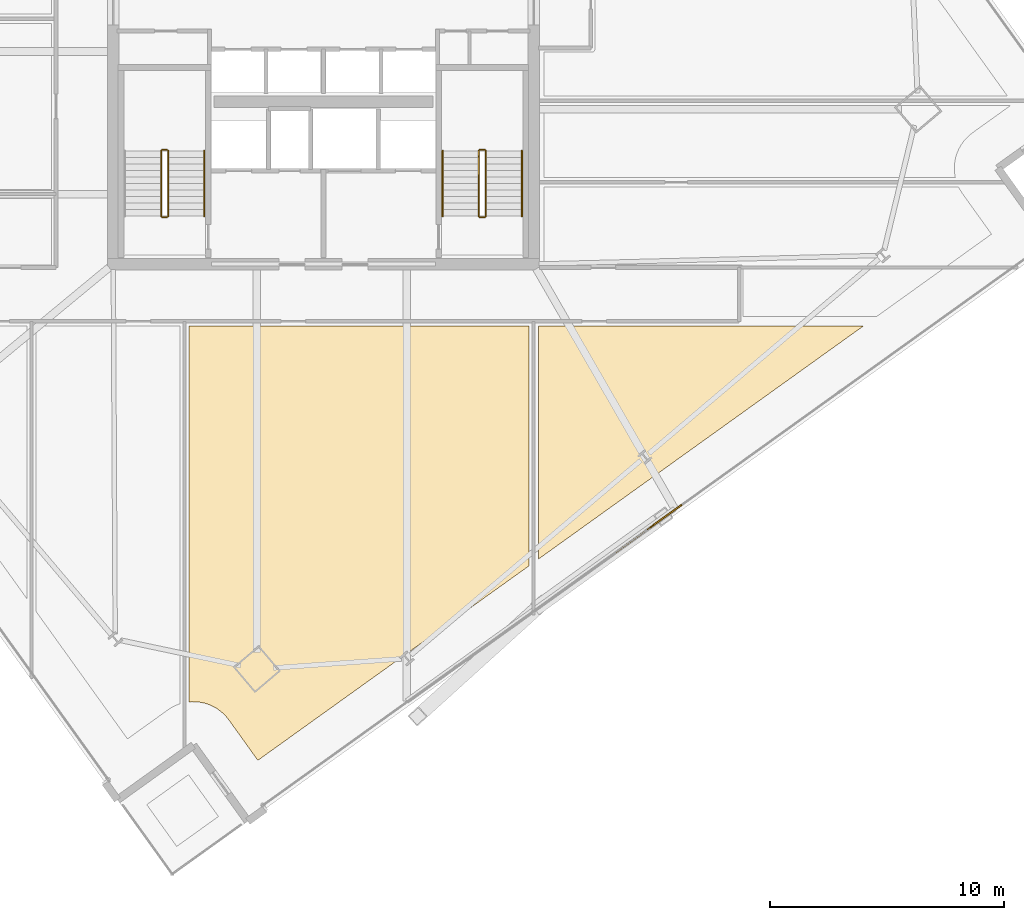
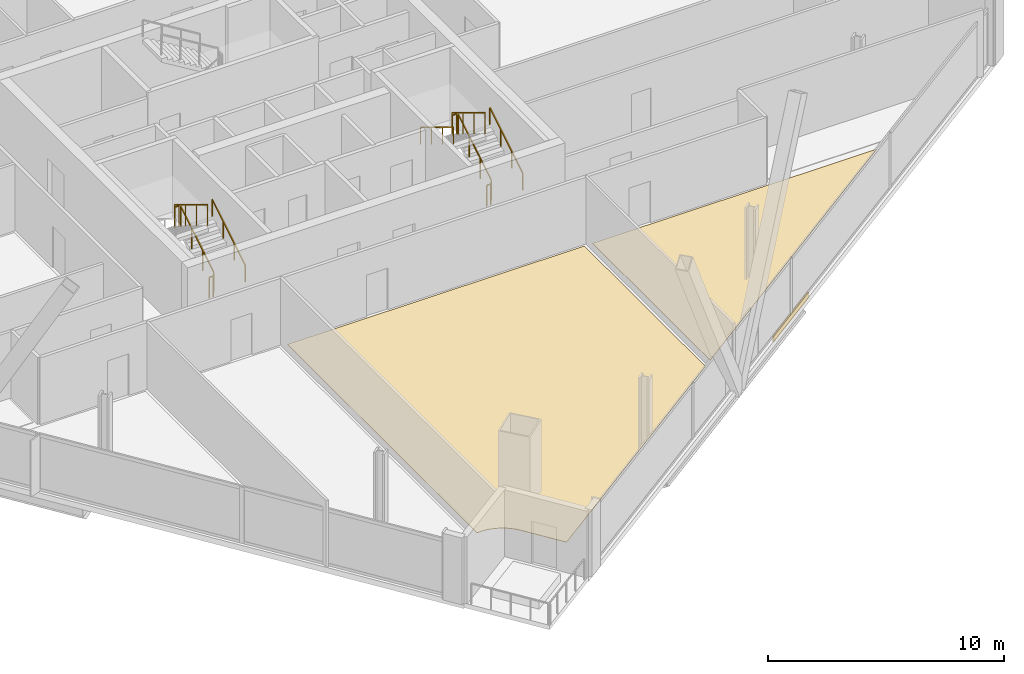
# One storey, part 30 of 33: 11 railings, 3 coverings.
"""IFC4 building model written with IfcOpenShell, lengths in metres."""

from ifc_helpers import new_model, si_unit, direction, frame, origin, origin_2d, place, context, subcontext, project, spatial, polyline, rectangle, outline, extrude, source, transform, mapped, material, layer, layer_set, type_object, element, save


model = new_model("IFC4")

# Units and contexts
model_context = context("Model", 3, precision=1e-05, world=origin(), true_north=direction((0.0, 1.0)))
body_context = subcontext(model_context, "Body", "Model", "MODEL_VIEW")
ifc_project = project(units=[si_unit("LENGTHUNIT", "METRE"), si_unit("AREAUNIT", "SQUARE_METRE"), si_unit("VOLUMEUNIT", "CUBIC_METRE"), si_unit("PLANEANGLEUNIT", "RADIAN"), si_unit("MASSUNIT", "GRAM", prefix="KILO")], contexts=[model_context])

# Site, building, storey
site_placement = place(None, origin())
site = spatial("IfcSite", under=ifc_project, at=site_placement, CompositionType="ELEMENT")
building_placement = place(site_placement, origin())
building = spatial("IfcBuilding", under=site, at=building_placement, Name="Haldenkirk Collegiate Tower", CompositionType="ELEMENT")
storey_placement = place(building_placement, frame((0.0, 0.0, 148.199951171875)))
storey = spatial("IfcBuildingStorey", under=building, at=storey_placement, Name="L36", CompositionType="ELEMENT", Elevation=148.199951171875)

# Coverings
ifc_material_1 = material(Name="Polished collegiate terrazzo", Category="concrete")
ifc_layer_1 = layer(ifc_material_1, 0.02490234375)
ifc_layer_set_1 = layer_set([ifc_layer_1], Name="Polished collegiate terrazzo")
covering_type_1 = type_object("IfcCoveringType", Name="COV-FLOOR-TERRAZZO", PredefinedType="FLOORING", material=ifc_layer_set_1)
covering_1_placement = place(storey_placement, origin())
element("IfcCovering", 1, at=covering_1_placement, inside=storey, type_object=covering_type_1, Name="L36 academic room finish 04", PredefinedType="FLOORING", context=body_context, shape_type="SweptSolid", body=[
    extrude(outline(polyline([(45.199951171875, 5.36474609375), (45.199951171875, 15.35009765625), (59.121337890625, 15.35009765625), (45.199951171875, 5.36474609375)])), origin(), (0.0, 0.0, 1.0), 0.025146484375),
])
ifc_material_2 = material(Name="Engineered collegiate oak acoustic flooring", Category="wood")
ifc_layer_2 = layer(ifc_material_2, 0.02197265625)
ifc_layer_set_2 = layer_set([ifc_layer_2], Name="Engineered collegiate oak acoustic flooring")
covering_type_2 = type_object("IfcCoveringType", Name="COV-FLOOR-TIMBER", PredefinedType="FLOORING", material=ifc_layer_set_2)
covering_2_placement = place(storey_placement, origin())
element("IfcCovering", 2, at=covering_2_placement, inside=storey, type_object=covering_type_2, Name="L36 academic room finish 03", PredefinedType="FLOORING", context=body_context, shape_type="SweptSolid", body=[
    extrude(outline(polyline([(30.25, -0.74853515625), (30.25, 15.35009765625), (44.800048828125, 15.35009765625), (44.800048828125, 5.077880859375), (33.190673828125, -3.248779296875), (31.94921875, -1.51806640625), (31.94580078125, -1.513427734375), (31.8388671875, -1.37890625), (31.8310546875, -1.3701171875), (31.711669921875, -1.24658203125), (31.702880859375, -1.238525390625), (31.572021484375, -1.12744140625), (31.562744140625, -1.120361328125), (31.42138671875, -1.022705078125), (31.41162109375, -1.0166015625), (31.26123046875, -0.93310546875), (31.250732421875, -0.927978515625), (31.093017578125, -0.859619140625), (31.08203125, -0.85546875), (30.918701171875, -0.802978515625), (30.906982421875, -0.800048828125), (30.7392578125, -0.763916015625), (30.727783203125, -0.761962890625), (30.55712890625, -0.742431640625), (30.54541015625, -0.74169921875), (30.37353515625, -0.739013671875), (30.36181640625, -0.7392578125), (30.25, -0.74853515625)])), origin(), (0.0, 0.0, 1.0), 0.02197265625),
])

# Railings
ifc_material_3 = material(Name="Painted architectural tubular steel", Category="steel")
railing_type_1 = type_object("IfcRailingType", Name="RLG-STAIR-GUARD-1100", PredefinedType="BALUSTRADE", material=ifc_material_3)
railing_1_placement = place(storey_placement, frame((29.35009765625, 20.050048828125, 0.17041015625)))
element("IfcRailing", 3, at=railing_1_placement, inside=storey, type_object=railing_type_1, Name="L36 ST-1 stair guard 1", PredefinedType="BALUSTRADE", context=body_context, shape_type="SweptSolid", body=[
    extrude(rectangle(XDim=0.048095703125, YDim=0.048095703125, at=origin_2d()), frame((0.0, 0.0, 1.076171875), z_axis=(0.0, 0.854169791009, 0.51999420009), x_axis=(-1.0, 0.0, 0.0)), (0.0, 0.0, 1.0), 3.278076171875),
    extrude(rectangle(XDim=0.0419921875, YDim=0.0419921875, at=origin_2d()), origin(), (0.0, 0.0, 1.0), 1.052001953125),
    extrude(rectangle(XDim=0.0419921875, YDim=0.0419921875, at=origin_2d()), frame((0.0, 0.933349609375, 0.568115234375)), (0.0, 0.0, 1.0), 1.052001953125),
    extrude(rectangle(XDim=0.0419921875, YDim=0.0419921875, at=origin_2d()), frame((0.0, 1.86669921875, 1.136474609375)), (0.0, 0.0, 1.0), 1.052001953125),
    extrude(rectangle(XDim=0.0419921875, YDim=0.0419921875, at=origin_2d()), frame((0.0, 2.800048828125, 1.70458984375)), (0.0, 0.0, 1.0), 1.052001953125),
])
railing_2_placement = place(storey_placement, frame((29.300048828125, 22.89990234375, 1.875)))
element("IfcRailing", 4, at=railing_2_placement, inside=storey, type_object=railing_type_1, Name="L36 ST-1 stair guard 2", PredefinedType="BALUSTRADE", context=body_context, shape_type="SweptSolid", body=[
    extrude(rectangle(XDim=0.048095703125, YDim=0.048095703125, at=origin_2d()), frame((0.0, 0.0, 1.076171875), z_axis=(-1.0, 0.0, 0.0), x_axis=(0.0, -1.0, 0.0)), (0.0, 0.0, 1.0), 0.199951171875),
    extrude(rectangle(XDim=0.0419921875, YDim=0.0419921875, at=origin_2d()), origin(), (0.0, 0.0, 1.0), 1.052001953125),
    extrude(rectangle(XDim=0.0419921875, YDim=0.0419921875, at=origin_2d()), frame((-0.199951171875, 0.0, 0.0)), (0.0, 0.0, 1.0), 1.052001953125),
])
railing_3_placement = place(storey_placement, frame((29.050048828125, 22.85009765625, 2.04541015625)))
element("IfcRailing", 5, at=railing_3_placement, inside=storey, type_object=railing_type_1, Name="L36 ST-1 stair guard 3", PredefinedType="BALUSTRADE", context=body_context, shape_type="SweptSolid", body=[
    extrude(rectangle(XDim=0.048095703125, YDim=0.048095703125, at=origin_2d()), frame((0.0, 0.0, 1.076171875), z_axis=(0.0, -0.854169791009, 0.51999420009), x_axis=(1.0, 0.0, 0.0)), (0.0, 0.0, 1.0), 3.278076171875),
    extrude(rectangle(XDim=0.0419921875, YDim=0.0419921875, at=origin_2d()), origin(), (0.0, 0.0, 1.0), 1.052001953125),
    extrude(rectangle(XDim=0.0419921875, YDim=0.0419921875, at=origin_2d()), frame((0.0, -0.933349609375, 0.568115234375)), (0.0, 0.0, 1.0), 1.052001953125),
    extrude(rectangle(XDim=0.0419921875, YDim=0.0419921875, at=origin_2d()), frame((0.0, -1.86669921875, 1.136474609375)), (0.0, 0.0, 1.0), 1.052001953125),
    extrude(rectangle(XDim=0.0419921875, YDim=0.0419921875, at=origin_2d()), frame((0.0, -2.800048828125, 1.70458984375)), (0.0, 0.0, 1.0), 1.052001953125),
])
railing_4_placement = place(storey_placement, frame((29.300048828125, 20.0, 0.0)))
element("IfcRailing", 6, at=railing_4_placement, inside=storey, type_object=railing_type_1, Name="L36 ST-1 stair guard 4", PredefinedType="BALUSTRADE", context=body_context, shape_type="SweptSolid", body=[
    extrude(rectangle(XDim=0.048095703125, YDim=0.048095703125, at=origin_2d()), frame((0.0, 0.0, 1.076171875), z_axis=(-1.0, 0.0, 0.0), x_axis=(0.0, -1.0, 0.0)), (0.0, 0.0, 1.0), 0.199951171875),
    extrude(rectangle(XDim=0.0419921875, YDim=0.0419921875, at=origin_2d()), origin(), (0.0, 0.0, 1.0), 1.052001953125),
    extrude(rectangle(XDim=0.0419921875, YDim=0.0419921875, at=origin_2d()), frame((-0.199951171875, 0.0, 0.0)), (0.0, 0.0, 1.0), 1.052001953125),
])
railing_5_placement = place(storey_placement, frame((42.949951171875, 20.050048828125, 0.17041015625)))
element("IfcRailing", 7, at=railing_5_placement, inside=storey, type_object=railing_type_1, Name="L36 ST-2 stair guard 1", PredefinedType="BALUSTRADE", context=body_context, shape_type="SweptSolid", body=[
    extrude(rectangle(XDim=0.048095703125, YDim=0.048095703125, at=origin_2d()), frame((0.0, 0.0, 1.076171875), z_axis=(0.0, 0.854169791009, 0.51999420009), x_axis=(-1.0, 0.0, 0.0)), (0.0, 0.0, 1.0), 3.278076171875),
    extrude(rectangle(XDim=0.0419921875, YDim=0.0419921875, at=origin_2d()), origin(), (0.0, 0.0, 1.0), 1.052001953125),
    extrude(rectangle(XDim=0.0419921875, YDim=0.0419921875, at=origin_2d()), frame((0.0, 0.933349609375, 0.568115234375)), (0.0, 0.0, 1.0), 1.052001953125),
    extrude(rectangle(XDim=0.0419921875, YDim=0.0419921875, at=origin_2d()), frame((0.0, 1.86669921875, 1.136474609375)), (0.0, 0.0, 1.0), 1.052001953125),
    extrude(rectangle(XDim=0.0419921875, YDim=0.0419921875, at=origin_2d()), frame((0.0, 2.800048828125, 1.70458984375)), (0.0, 0.0, 1.0), 1.052001953125),
])
railing_6_placement = place(storey_placement, frame((42.89990234375, 22.89990234375, 1.875)))
element("IfcRailing", 8, at=railing_6_placement, inside=storey, type_object=railing_type_1, Name="L36 ST-2 stair guard 2", PredefinedType="BALUSTRADE", context=body_context, shape_type="SweptSolid", body=[
    extrude(rectangle(XDim=0.048095703125, YDim=0.048095703125, at=origin_2d()), frame((0.0, 0.0, 1.076171875), z_axis=(-1.0, 0.0, 0.0), x_axis=(0.0, -1.0, 0.0)), (0.0, 0.0, 1.0), 0.199951171875),
    extrude(rectangle(XDim=0.0419921875, YDim=0.0419921875, at=origin_2d()), origin(), (0.0, 0.0, 1.0), 1.052001953125),
    extrude(rectangle(XDim=0.0419921875, YDim=0.0419921875, at=origin_2d()), frame((-0.199951171875, 0.0, 0.0)), (0.0, 0.0, 1.0), 1.052001953125),
])
railing_7_placement = place(storey_placement, frame((42.64990234375, 22.85009765625, 2.04541015625)))
element("IfcRailing", 9, at=railing_7_placement, inside=storey, type_object=railing_type_1, Name="L36 ST-2 stair guard 3", PredefinedType="BALUSTRADE", context=body_context, shape_type="SweptSolid", body=[
    extrude(rectangle(XDim=0.048095703125, YDim=0.048095703125, at=origin_2d()), frame((0.0, 0.0, 1.076171875), z_axis=(0.0, -0.854169791009, 0.51999420009), x_axis=(1.0, 0.0, 0.0)), (0.0, 0.0, 1.0), 3.278076171875),
    extrude(rectangle(XDim=0.0419921875, YDim=0.0419921875, at=origin_2d()), origin(), (0.0, 0.0, 1.0), 1.052001953125),
    extrude(rectangle(XDim=0.0419921875, YDim=0.0419921875, at=origin_2d()), frame((0.0, -0.933349609375, 0.568115234375)), (0.0, 0.0, 1.0), 1.052001953125),
    extrude(rectangle(XDim=0.0419921875, YDim=0.0419921875, at=origin_2d()), frame((0.0, -1.86669921875, 1.136474609375)), (0.0, 0.0, 1.0), 1.052001953125),
    extrude(rectangle(XDim=0.0419921875, YDim=0.0419921875, at=origin_2d()), frame((0.0, -2.800048828125, 1.70458984375)), (0.0, 0.0, 1.0), 1.052001953125),
])
railing_8_placement = place(storey_placement, frame((42.89990234375, 20.0, 0.0)))
element("IfcRailing", 10, at=railing_8_placement, inside=storey, type_object=railing_type_1, Name="L36 ST-2 stair guard 4", PredefinedType="BALUSTRADE", context=body_context, shape_type="SweptSolid", body=[
    extrude(rectangle(XDim=0.048095703125, YDim=0.048095703125, at=origin_2d()), frame((0.0, 0.0, 1.076171875), z_axis=(-1.0, 0.0, 0.0), x_axis=(0.0, -1.0, 0.0)), (0.0, 0.0, 1.0), 0.199951171875),
    extrude(rectangle(XDim=0.0419921875, YDim=0.0419921875, at=origin_2d()), origin(), (0.0, 0.0, 1.0), 1.052001953125),
    extrude(rectangle(XDim=0.0419921875, YDim=0.0419921875, at=origin_2d()), frame((-0.199951171875, 0.0, 0.0)), (0.0, 0.0, 1.0), 1.052001953125),
])
railing_type_2 = type_object("IfcRailingType", Name="RLG-STAIR-HANDRAIL-900", PredefinedType="HANDRAIL", material=ifc_material_3)
for number, where, name in (
    (11, (30.89990234375, 20.050048828125, 0.17041015625), "L36 ST-1 stair handrail 1"),
    (12, (44.5, 20.050048828125, 0.17041015625), "L36 ST-2 stair handrail 1"),
):
    element("IfcRailing", number, at=place(storey_placement, frame(where)), inside=storey, type_object=railing_type_2, Name=name, PredefinedType="HANDRAIL", context=body_context, shape_type="SweptSolid", body=[
        extrude(rectangle(XDim=0.048095703125, YDim=0.048095703125, at=origin_2d()), frame((0.0, 0.0, 0.8759765625), z_axis=(0.0, 0.854169791009, 0.51999420009), x_axis=(-1.0, 0.0, 0.0)), (0.0, 0.0, 1.0), 3.278076171875),
        extrude(rectangle(XDim=0.0419921875, YDim=0.0419921875, at=origin_2d()), origin(), (0.0, 0.0, 1.0), 0.851806640625),
        extrude(rectangle(XDim=0.0419921875, YDim=0.0419921875, at=origin_2d()), frame((0.0, 0.933349609375, 0.568115234375)), (0.0, 0.0, 1.0), 0.851806640625),
        extrude(rectangle(XDim=0.0419921875, YDim=0.0419921875, at=origin_2d()), frame((0.0, 1.86669921875, 1.136474609375)), (0.0, 0.0, 1.0), 0.851806640625),
        extrude(rectangle(XDim=0.0419921875, YDim=0.0419921875, at=origin_2d()), frame((0.0, 2.800048828125, 1.70458984375)), (0.0, 0.0, 1.0), 0.851806640625),
    ])
railing_9_placement = place(storey_placement, frame((41.10009765625, 22.85009765625, 2.04541015625)))
element("IfcRailing", 13, at=railing_9_placement, inside=storey, type_object=railing_type_2, Name="L36 ST-2 stair handrail 2", PredefinedType="HANDRAIL", context=body_context, shape_type="SweptSolid", body=[
    extrude(rectangle(XDim=0.048095703125, YDim=0.048095703125, at=origin_2d()), frame((0.0, 0.0, 0.8759765625), z_axis=(0.0, -0.854169791009, 0.51999420009), x_axis=(1.0, 0.0, 0.0)), (0.0, 0.0, 1.0), 3.278076171875),
    extrude(rectangle(XDim=0.0419921875, YDim=0.0419921875, at=origin_2d()), origin(), (0.0, 0.0, 1.0), 0.851806640625),
    extrude(rectangle(XDim=0.0419921875, YDim=0.0419921875, at=origin_2d()), frame((0.0, -0.933349609375, 0.568115234375)), (0.0, 0.0, 1.0), 0.851806640625),
    extrude(rectangle(XDim=0.0419921875, YDim=0.0419921875, at=origin_2d()), frame((0.0, -1.86669921875, 1.136474609375)), (0.0, 0.0, 1.0), 0.851806640625),
    extrude(rectangle(XDim=0.0419921875, YDim=0.0419921875, at=origin_2d()), frame((0.0, -2.800048828125, 1.70458984375)), (0.0, 0.0, 1.0), 0.851806640625),
])

# Covering
ifc_material_4 = material(Name="Anodised architectural bronze aluminium", Category="aluminium")
ifc_layer_3 = layer(ifc_material_4, 0.06005859375)
ifc_layer_set_3 = layer_set([ifc_layer_3], Name="Anodised architectural bronze aluminium")
covering_type_3 = type_object("IfcCoveringType", Name="COV-CLAD-BRONZE-60", PredefinedType="CLADDING", material=ifc_layer_set_3)
shared_shape = source(origin(), body_context, "Body", "SweptSolid", [
    extrude(rectangle(XDim=3.60009765625, YDim=0.06005859375, at=origin_2d()), origin(), (0.0, 0.0, 1.0), 0.300048828125),
])
covering_3_placement = place(storey_placement, frame((49.883056640625, 6.64404296875, -0.2998046875), z_axis=(0.0, 0.0, 1.0), x_axis=(-0.812592453382, -0.582832312683, 0.0)))
element("IfcCovering", 14, at=covering_3_placement, inside=storey, type_object=covering_type_3, Name="L36 architectural bronze spandrel cladding S", PredefinedType="CLADDING", context=body_context, shape_type="MappedRepresentation", body=[
    mapped(shared_shape, transform((0.0, 0.0, 0.0), x_axis=(1.0, 0.0, 0.0), y_axis=(0.0, 1.0, 0.0), z_axis=(0.0, 0.0, 1.0), scale=1.0)),
])

save(model, "model.ifc")
